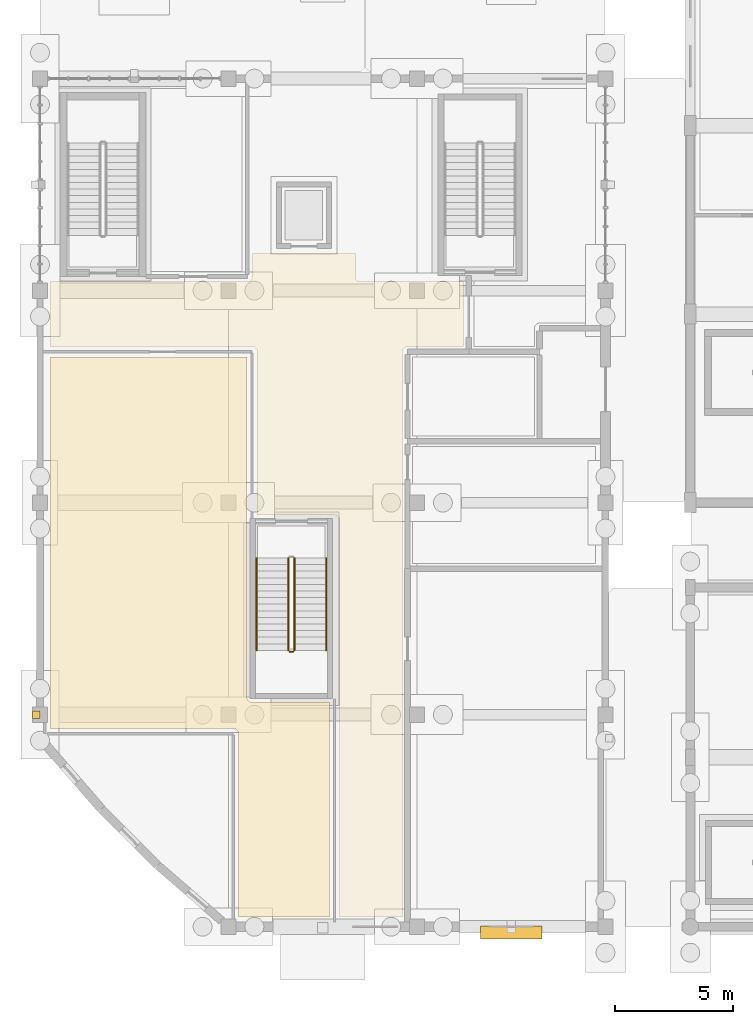
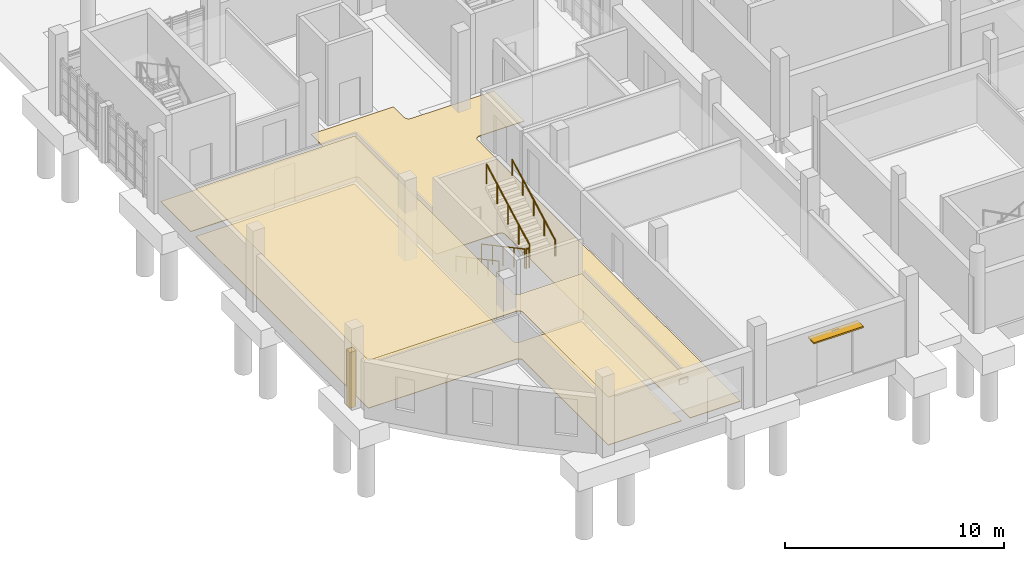
# One storey, part 50 of 63: 5 railings, 4 coverings, 1 shading device.
"""IFC4 building model written with IfcOpenShell, lengths in metres."""

from ifc_helpers import new_model, si_unit, direction, frame, origin, origin_2d, place, context, subcontext, project, spatial, polyline, rectangle, circle, outline, extrude, material, layer, layer_set, type_object, element, save


model = new_model("IFC4")

# Units and contexts
model_context = context("Model", 3, precision=1e-05, world=origin(), true_north=direction((0.0, 1.0)))
body_context = subcontext(model_context, "Body", "Model", "MODEL_VIEW")
ifc_project = project(units=[si_unit("LENGTHUNIT", "METRE"), si_unit("AREAUNIT", "SQUARE_METRE"), si_unit("VOLUMEUNIT", "CUBIC_METRE"), si_unit("PLANEANGLEUNIT", "RADIAN"), si_unit("MASSUNIT", "GRAM", prefix="KILO")], contexts=[model_context])

# Site, building, storey
site_placement = place(None, origin())
site = spatial("IfcSite", under=ifc_project, at=site_placement, CompositionType="ELEMENT")
building_placement = place(site_placement, origin())
building = spatial("IfcBuilding", under=site, at=building_placement, Name="Serraforn Aerial Cableway Station", CompositionType="ELEMENT")
storey_placement = place(building_placement, origin())
storey = spatial("IfcBuildingStorey", under=building, at=storey_placement, Name="L00", CompositionType="ELEMENT", Elevation=0.0)

# Coverings
ifc_material_1 = material(Name="Fluted patinated bronze Art Deco pilaster cladding")
ifc_layer_1 = layer(ifc_material_1, 0.034912109375)
ifc_layer_set_1 = layer_set([ifc_layer_1], Name="Fluted patinated bronze Art Deco pilaster cladding")
covering_type_1 = type_object("IfcCoveringType", Name="COV-CLAD-BRZ", PredefinedType="CLADDING", material=ifc_layer_set_1)
covering_1_placement = place(storey_placement, origin())
element("IfcCovering", 1, at=covering_1_placement, inside=storey, type_object=covering_type_1, Name="Art Deco Bronze Pilaster Cladding W-L00-W1", PredefinedType="CLADDING", context=body_context, shape_type="SweptSolid", body=[
    extrude(outline(polyline([(-0.31494140625, 8.840087890625), (0.0048828125, 8.840087890625), (0.0048828125, 9.159912109375), (-0.31494140625, 9.159912109375), (-0.31494140625, 8.840087890625)])), origin(), (0.0, 0.0, 1.0), 3.1201171875),
])
ifc_material_2 = material(Name="Perforated acoustic mineral ceiling")
ifc_layer_2 = layer(ifc_material_2, 0.02490234375)
ifc_layer_set_2 = layer_set([ifc_layer_2], Name="Perforated acoustic mineral ceiling")
covering_type_2 = type_object("IfcCoveringType", Name="COV-CLG-AC", PredefinedType="CEILING", material=ifc_layer_set_2)
covering_2_placement = place(storey_placement, frame((0.0, 0.0, 2.659912109375)))
element("IfcCovering", 2, at=covering_2_placement, inside=storey, type_object=covering_type_2, Name="Suspended Ceiling L00-01", PredefinedType="CEILING", context=body_context, shape_type="SweptSolid", body=[
    extrude(outline(polyline([(12.280029296875, 0.419921875), (8.419921875, 0.419921875), (8.419921875, 8.199951171875), (8.4189453125, 8.2216796875), (8.415771484375, 8.242919921875), (8.410400390625, 8.263916015625), (8.4033203125, 8.2841796875), (8.39404296875, 8.3037109375), (8.3828125, 8.322265625), (8.3701171875, 8.339599609375), (8.355712890625, 8.355712890625), (8.339599609375, 8.3701171875), (8.322265625, 8.3828125), (8.3037109375, 8.39404296875), (8.2841796875, 8.4033203125), (8.263916015625, 8.410400390625), (8.242919921875, 8.415771484375), (8.2216796875, 8.4189453125), (8.199951171875, 8.419921875), (0.419921875, 8.419921875), (0.419921875, 24.179931640625), (8.780029296875, 24.179931640625), (8.780029296875, 9.75), (8.781005859375, 9.728515625), (8.7841796875, 9.70703125), (8.78955078125, 9.68603515625), (8.796630859375, 9.665771484375), (8.805908203125, 9.646240234375), (8.817138671875, 9.627685546875), (8.829833984375, 9.6103515625), (8.844482421875, 9.594482421875), (8.8603515625, 9.579833984375), (8.877685546875, 9.567138671875), (8.896240234375, 9.555908203125), (8.915771484375, 9.546630859375), (8.93603515625, 9.53955078125), (8.95703125, 9.5341796875), (8.978515625, 9.531005859375), (9.0, 9.530029296875), (12.280029296875, 9.530029296875), (12.280029296875, 0.419921875)])), origin(), (0.0, 0.0, 1.0), 0.025146484375),
])
ifc_material_3 = material(Name="Honed Montjuic limestone flooring", Category="masonry")
ifc_layer_3 = layer(ifc_material_3, 0.030029296875)
ifc_layer_set_3 = layer_set([ifc_layer_3], Name="Honed Montjuic limestone flooring")
covering_type_3 = type_object("IfcCoveringType", Name="COV-FLR-STN", PredefinedType="FLOORING", material=ifc_layer_set_3)
covering_3_placement = place(storey_placement, origin())
element("IfcCovering", 3, at=covering_3_placement, inside=storey, type_object=covering_type_3, Name="Flooring L00-05", PredefinedType="FLOORING", context=body_context, shape_type="SweptSolid", body=[
    extrude(outline(polyline([(12.719970703125, 0.419921875), (12.719970703125, 17.25), (12.718994140625, 17.271484375), (12.7158203125, 17.29296875), (12.71044921875, 17.31396484375), (12.703369140625, 17.334228515625), (12.694091796875, 17.353759765625), (12.682861328125, 17.372314453125), (12.670166015625, 17.3896484375), (12.655517578125, 17.405517578125), (12.6396484375, 17.420166015625), (12.622314453125, 17.432861328125), (12.603759765625, 17.444091796875), (12.584228515625, 17.453369140625), (12.56396484375, 17.46044921875), (12.54296875, 17.4658203125), (12.521484375, 17.468994140625), (12.5, 17.469970703125), (9.219970703125, 17.469970703125), (9.219970703125, 24.39990234375), (9.218994140625, 24.421630859375), (9.2158203125, 24.44287109375), (9.21044921875, 24.4638671875), (9.203369140625, 24.484130859375), (9.194091796875, 24.503662109375), (9.182861328125, 24.522216796875), (9.170166015625, 24.53955078125), (9.155517578125, 24.5556640625), (9.1396484375, 24.570068359375), (9.122314453125, 24.5830078125), (9.103759765625, 24.593994140625), (9.084228515625, 24.603271484375), (9.06396484375, 24.610595703125), (9.04296875, 24.61572265625), (9.021484375, 24.618896484375), (9.0, 24.6201171875), (0.419921875, 24.6201171875), (0.419921875, 27.3798828125), (8.800048828125, 27.3798828125), (8.821533203125, 27.381103515625), (8.843017578125, 27.38427734375), (8.864013671875, 27.389404296875), (8.88427734375, 27.396728515625), (8.90380859375, 27.406005859375), (8.922119140625, 27.4169921875), (8.939697265625, 27.429931640625), (8.95556640625, 27.4443359375), (8.97021484375, 27.46044921875), (8.98291015625, 27.477783203125), (8.993896484375, 27.496337890625), (9.00341796875, 27.515869140625), (9.010498046875, 27.5361328125), (9.015869140625, 27.55712890625), (9.018798828125, 27.578369140625), (9.02001953125, 27.60009765625), (9.02001953125, 28.580078125), (13.3798828125, 28.580078125), (13.3798828125, 27.60009765625), (13.381103515625, 27.578369140625), (13.38427734375, 27.55712890625), (13.389404296875, 27.5361328125), (13.396728515625, 27.515869140625), (13.406005859375, 27.496337890625), (13.4169921875, 27.477783203125), (13.429931640625, 27.46044921875), (13.4443359375, 27.4443359375), (13.46044921875, 27.429931640625), (13.477783203125, 27.4169921875), (13.496337890625, 27.406005859375), (13.515869140625, 27.396728515625), (13.5361328125, 27.389404296875), (13.55712890625, 27.38427734375), (13.578369140625, 27.381103515625), (13.60009765625, 27.3798828125), (17.97998046875, 27.3798828125), (17.97998046875, 24.6201171875), (15.60009765625, 24.6201171875), (15.578369140625, 24.618896484375), (15.55712890625, 24.61572265625), (15.5361328125, 24.610595703125), (15.515869140625, 24.603271484375), (15.496337890625, 24.593994140625), (15.477783203125, 24.5830078125), (15.46044921875, 24.570068359375), (15.4443359375, 24.5556640625), (15.429931640625, 24.53955078125), (15.4169921875, 24.522216796875), (15.406005859375, 24.503662109375), (15.396728515625, 24.484130859375), (15.389404296875, 24.4638671875), (15.38427734375, 24.44287109375), (15.381103515625, 24.421630859375), (15.3798828125, 24.39990234375), (15.3798828125, 0.419921875), (12.719970703125, 0.419921875)])), origin(), (0.0, 0.0, 1.0), 0.030029296875),
])
ifc_material_4 = material(Name="Catalan geometric terrazzo tile flooring")
ifc_layer_4 = layer(ifc_material_4, 0.02490234375)
ifc_layer_set_4 = layer_set([ifc_layer_4], Name="Catalan geometric terrazzo tile flooring")
covering_type_4 = type_object("IfcCoveringType", Name="COV-FLR-TER", PredefinedType="FLOORING", material=ifc_layer_set_4)
covering_4_placement = place(storey_placement, origin())
element("IfcCovering", 4, at=covering_4_placement, inside=storey, type_object=covering_type_4, Name="Flooring L00-01", PredefinedType="FLOORING", context=body_context, shape_type="SweptSolid", body=[
    extrude(outline(polyline([(12.280029296875, 0.419921875), (8.419921875, 0.419921875), (8.419921875, 8.199951171875), (8.4189453125, 8.2216796875), (8.415771484375, 8.242919921875), (8.410400390625, 8.263916015625), (8.4033203125, 8.2841796875), (8.39404296875, 8.3037109375), (8.3828125, 8.322265625), (8.3701171875, 8.339599609375), (8.355712890625, 8.355712890625), (8.339599609375, 8.3701171875), (8.322265625, 8.3828125), (8.3037109375, 8.39404296875), (8.2841796875, 8.4033203125), (8.263916015625, 8.410400390625), (8.242919921875, 8.415771484375), (8.2216796875, 8.4189453125), (8.199951171875, 8.419921875), (0.419921875, 8.419921875), (0.419921875, 24.179931640625), (8.780029296875, 24.179931640625), (8.780029296875, 9.75), (8.781005859375, 9.728515625), (8.7841796875, 9.70703125), (8.78955078125, 9.68603515625), (8.796630859375, 9.665771484375), (8.805908203125, 9.646240234375), (8.817138671875, 9.627685546875), (8.829833984375, 9.6103515625), (8.844482421875, 9.594482421875), (8.8603515625, 9.579833984375), (8.877685546875, 9.567138671875), (8.896240234375, 9.555908203125), (8.915771484375, 9.546630859375), (8.93603515625, 9.53955078125), (8.95703125, 9.5341796875), (8.978515625, 9.531005859375), (9.0, 9.530029296875), (12.280029296875, 9.530029296875), (12.280029296875, 0.419921875)])), origin(), (0.0, 0.0, 1.0), 0.02490234375),
])

# Railings
ifc_material_5 = material(Name="Patinated bronze stair guardrail")
ifc_layer_5 = layer(ifc_material_5, 0.050048828125)
ifc_layer_set_5 = layer_set([ifc_layer_5], Name="Patinated bronze stair guardrail")
railing_type_1 = type_object("IfcRailingType", Name="RL-STR-GRD", PredefinedType="GUARDRAIL", material=ifc_layer_set_5)
railing_1_placement = place(storey_placement, frame((10.5400390625, 15.64990234375, 0.14990234375)))
element("IfcRailing", 5, at=railing_1_placement, inside=storey, type_object=railing_type_1, Name="L00 ST-12 stair guard 1", PredefinedType="GUARDRAIL", context=body_context, shape_type="SweptSolid", body=[
    extrude(circle(Radius=0.02392578125, at=origin_2d()), frame((0.0, 0.0, 1.076171875), z_axis=(0.0, -0.881466911329, 0.472245787945), x_axis=(1.0, 0.0, 0.0)), (0.0, 0.0, 1.0), 4.447021484375),
    extrude(circle(Radius=0.02099609375, at=origin_2d()), origin(), (0.0, 0.0, 1.0), 1.052001953125),
    extrude(circle(Radius=0.02099609375, at=origin_2d()), frame((0.0, -0.97998046875, 0.52490234375)), (0.0, 0.0, 1.0), 1.052001953125),
    extrude(circle(Radius=0.02099609375, at=origin_2d()), frame((0.0, -1.9599609375, 1.050048828125)), (0.0, 0.0, 1.0), 1.052001953125),
    extrude(circle(Radius=0.02099609375, at=origin_2d()), frame((0.0, -2.93994140625, 1.5751953125)), (0.0, 0.0, 1.0), 1.052001953125),
    extrude(circle(Radius=0.02099609375, at=origin_2d()), frame((0.0, -3.919921875, 2.10009765625)), (0.0, 0.0, 1.0), 1.052001953125),
])
railing_2_placement = place(storey_placement, frame((10.590087890625, 11.679931640625, 2.25)))
element("IfcRailing", 6, at=railing_2_placement, inside=storey, type_object=railing_type_1, Name="L00 ST-12 stair guard 2", PredefinedType="GUARDRAIL", context=body_context, shape_type="SweptSolid", body=[
    extrude(circle(Radius=0.02392578125, at=origin_2d()), frame((0.0, 0.0, 1.076171875), z_axis=(1.0, 0.0, 0.0), x_axis=(0.0, 1.0, 0.0)), (0.0, 0.0, 1.0), 0.159912109375),
    extrude(circle(Radius=0.02099609375, at=origin_2d()), origin(), (0.0, 0.0, 1.0), 1.052001953125),
    extrude(circle(Radius=0.02099609375, at=origin_2d()), frame((0.159912109375, 0.0, 0.0)), (0.0, 0.0, 1.0), 1.052001953125),
])
railing_3_placement = place(storey_placement, frame((10.800048828125, 11.72998046875, 2.39990234375)))
element("IfcRailing", 7, at=railing_3_placement, inside=storey, type_object=railing_type_1, Name="L00 ST-12 stair guard 3", PredefinedType="GUARDRAIL", context=body_context, shape_type="SweptSolid", body=[
    extrude(circle(Radius=0.02392578125, at=origin_2d()), frame((0.0, 0.0, 1.076171875), z_axis=(0.0, 0.881466911329, 0.472245787945), x_axis=(-1.0, 0.0, 0.0)), (0.0, 0.0, 1.0), 4.447021484375),
    extrude(circle(Radius=0.02099609375, at=origin_2d()), origin(), (0.0, 0.0, 1.0), 1.052001953125),
    extrude(circle(Radius=0.02099609375, at=origin_2d()), frame((0.0, 0.97998046875, 0.52490234375)), (0.0, 0.0, 1.0), 1.052001953125),
    extrude(circle(Radius=0.02099609375, at=origin_2d()), frame((0.0, 1.9599609375, 1.050048828125)), (0.0, 0.0, 1.0), 1.052001953125),
    extrude(circle(Radius=0.02099609375, at=origin_2d()), frame((0.0, 2.93994140625, 1.5751953125)), (0.0, 0.0, 1.0), 1.052001953125),
    extrude(circle(Radius=0.02099609375, at=origin_2d()), frame((0.0, 3.919921875, 2.10009765625)), (0.0, 0.0, 1.0), 1.052001953125),
])
ifc_material_6 = material(Name="Brushed bronze tubular handrail")
ifc_layer_6 = layer(ifc_material_6, 0.048095703125)
ifc_layer_set_6 = layer_set([ifc_layer_6], Name="Brushed bronze tubular handrail")
railing_type_2 = type_object("IfcRailingType", Name="RL-STR-HDR", PredefinedType="HANDRAIL", material=ifc_layer_set_6)
railing_4_placement = place(storey_placement, frame((9.18994140625, 15.64990234375, 0.14990234375)))
element("IfcRailing", 8, at=railing_4_placement, inside=storey, type_object=railing_type_2, Name="L00 ST-12 stair handrail 1", PredefinedType="HANDRAIL", context=body_context, shape_type="SweptSolid", body=[
    extrude(circle(Radius=0.02392578125, at=origin_2d()), frame((0.0, 0.0, 0.8759765625), z_axis=(0.0, -0.881466911329, 0.472245787945), x_axis=(1.0, 0.0, 0.0)), (0.0, 0.0, 1.0), 4.447021484375),
    extrude(circle(Radius=0.02099609375, at=origin_2d()), origin(), (0.0, 0.0, 1.0), 0.851806640625),
    extrude(circle(Radius=0.02099609375, at=origin_2d()), frame((0.0, -0.97998046875, 0.52490234375)), (0.0, 0.0, 1.0), 0.851806640625),
    extrude(circle(Radius=0.02099609375, at=origin_2d()), frame((0.0, -1.9599609375, 1.050048828125)), (0.0, 0.0, 1.0), 0.851806640625),
    extrude(circle(Radius=0.02099609375, at=origin_2d()), frame((0.0, -2.93994140625, 1.5751953125)), (0.0, 0.0, 1.0), 0.851806640625),
    extrude(circle(Radius=0.02099609375, at=origin_2d()), frame((0.0, -3.919921875, 2.10009765625)), (0.0, 0.0, 1.0), 0.851806640625),
])
railing_5_placement = place(storey_placement, frame((12.14990234375, 11.72998046875, 2.39990234375)))
element("IfcRailing", 9, at=railing_5_placement, inside=storey, type_object=railing_type_2, Name="L00 ST-12 stair handrail 2", PredefinedType="HANDRAIL", context=body_context, shape_type="SweptSolid", body=[
    extrude(circle(Radius=0.02392578125, at=origin_2d()), frame((0.0, 0.0, 0.8759765625), z_axis=(0.0, 0.881466911329, 0.472245787945), x_axis=(-1.0, 0.0, 0.0)), (0.0, 0.0, 1.0), 4.447021484375),
    extrude(circle(Radius=0.02099609375, at=origin_2d()), origin(), (0.0, 0.0, 1.0), 0.851806640625),
    extrude(circle(Radius=0.02099609375, at=origin_2d()), frame((0.0, 0.97998046875, 0.52490234375)), (0.0, 0.0, 1.0), 0.851806640625),
    extrude(circle(Radius=0.02099609375, at=origin_2d()), frame((0.0, 1.9599609375, 1.050048828125)), (0.0, 0.0, 1.0), 0.851806640625),
    extrude(circle(Radius=0.02099609375, at=origin_2d()), frame((0.0, 2.93994140625, 1.5751953125)), (0.0, 0.0, 1.0), 0.851806640625),
    extrude(circle(Radius=0.02099609375, at=origin_2d()), frame((0.0, 3.919921875, 2.10009765625)), (0.0, 0.0, 1.0), 0.851806640625),
])

# Shading device
ifc_material_7 = material(Name="Anodised bronze solar brise-soleil louvre")
ifc_layer_7 = layer(ifc_material_7, 0.080078125)
ifc_layer_set_7 = layer_set([ifc_layer_7], Name="Anodised bronze solar brise-soleil louvre")
shading_device_type = type_object("IfcShadingDeviceType", Name="SHD-LOUVRE", PredefinedType="USERDEFINED", material=ifc_layer_set_7)
shading_device_placement = place(storey_placement, frame((20.0, -0.25, 2.60986328125), z_axis=(0.0, 0.0, 1.0), x_axis=(1.0, 0.0, 0.0)))
element("IfcShadingDevice", 10, at=shading_device_placement, inside=storey, type_object=shading_device_type, Name="Art Deco Bronze Brise-Soleil 01", ObjectType="SUNSHADE", PredefinedType="USERDEFINED", context=body_context, shape_type="SweptSolid", body=[
    extrude(rectangle(XDim=2.60009765625, YDim=0.550048828125, at=origin_2d()), origin(), (0.0, 0.0, 1.0), 0.080078125),
])

save(model, "model.ifc")
